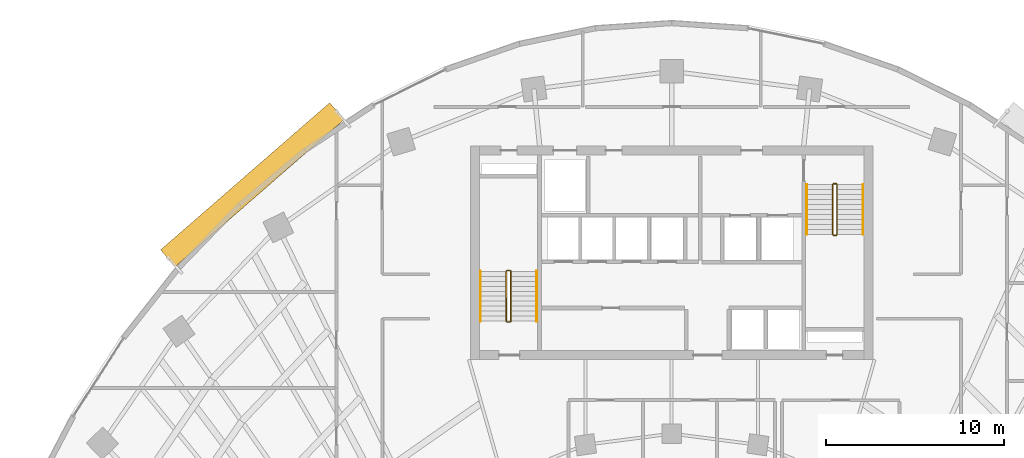
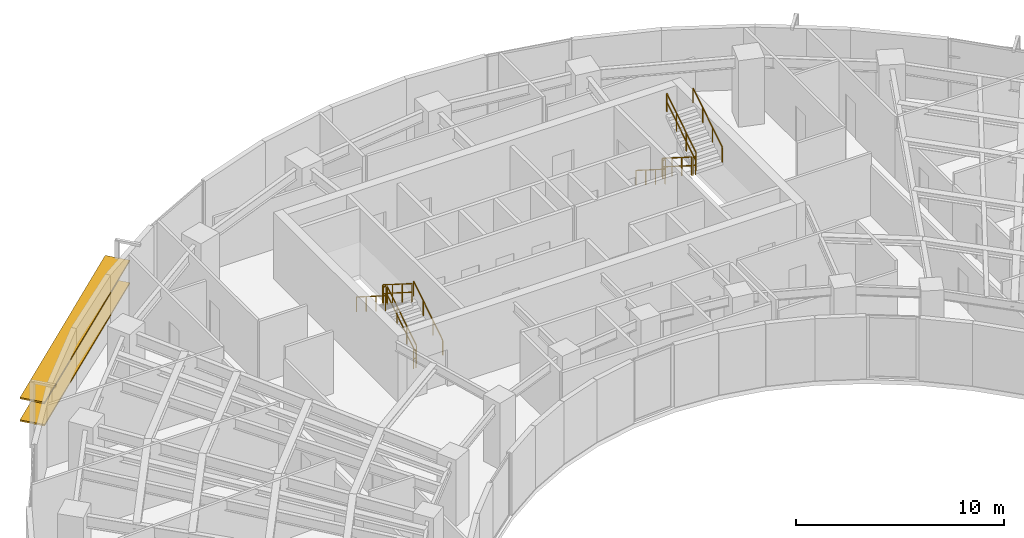
# One storey, part 13 of 14: 12 railings, 2 shading devices.
"""IFC4 building model written with IfcOpenShell, lengths in metres."""

from ifc_helpers import new_model, si_unit, direction, frame, origin, origin_2d, place, context, subcontext, project, spatial, rectangle, extrude, source, transform, mapped, material, material_profile, profile_set, type_object, element, save


model = new_model("IFC4")

# Units and contexts
model_context = context("Model", 3, precision=1e-05, world=origin(), true_north=direction((0.0, 1.0)))
body_context = subcontext(model_context, "Body", "Model", "MODEL_VIEW")
ifc_project = project(units=[si_unit("LENGTHUNIT", "METRE"), si_unit("AREAUNIT", "SQUARE_METRE"), si_unit("VOLUMEUNIT", "CUBIC_METRE"), si_unit("PLANEANGLEUNIT", "RADIAN"), si_unit("MASSUNIT", "GRAM", prefix="KILO")], contexts=[model_context])

# Site, building, storey
site_placement = place(None, origin())
site = spatial("IfcSite", under=ifc_project, at=site_placement, CompositionType="ELEMENT")
building_placement = place(site_placement, origin())
building = spatial("IfcBuilding", under=site, at=building_placement, Name="Breltana Convention Tower", CompositionType="ELEMENT")
storey_placement = place(building_placement, frame((0.0, 0.0, 99.89990234375)))
storey = spatial("IfcBuildingStorey", under=building, at=storey_placement, Name="L23", CompositionType="ELEMENT", Elevation=99.89990234375)

# Railings
ifc_material_1 = material(Name="Steel S275 Painted", Category="steel")
railing_type_1 = type_object("IfcRailingType", Name="RL-STAIR-GUARD-1100", PredefinedType="GUARDRAIL", material=ifc_material_1)
railing_1_placement = place(storey_placement, frame((38.9599609375, 62.360107421875, 0.177490234375)))
element("IfcRailing", 1, at=railing_1_placement, inside=storey, type_object=railing_type_1, Name="L23 ST-1 stair guard 1", PredefinedType="GUARDRAIL", context=body_context, shape_type="SweptSolid", body=[
    extrude(rectangle(XDim=0.048095703125, YDim=0.048095703125, at=origin_2d()), frame((0.0, 0.0, 1.076171875), z_axis=(0.0, 0.844887892834, 0.53494340686), x_axis=(-1.0, 0.0, 0.0)), (0.0, 0.0, 1.0), 3.313720703125),
    extrude(rectangle(XDim=0.048095703125, YDim=0.048095703125, at=origin_2d()), frame((0.0, 0.0, 0.572021484375), z_axis=(0.0, 0.844887892834, 0.53494340686), x_axis=(-1.0, 0.0, 0.0)), (0.0, 0.0, 1.0), 3.313720703125),
    extrude(rectangle(XDim=0.0419921875, YDim=0.0419921875, at=origin_2d()), origin(), (0.0, 0.0, 1.0), 1.052001953125),
    extrude(rectangle(XDim=0.0419921875, YDim=0.0419921875, at=origin_2d()), frame((0.0, 0.933349609375, 0.5908203125)), (0.0, 0.0, 1.0), 1.052001953125),
    extrude(rectangle(XDim=0.0419921875, YDim=0.0419921875, at=origin_2d()), frame((0.0, 1.866455078125, 1.181884765625)), (0.0, 0.0, 1.0), 1.052001953125),
    extrude(rectangle(XDim=0.0419921875, YDim=0.0419921875, at=origin_2d()), frame((0.0, 2.7998046875, 1.772705078125)), (0.0, 0.0, 1.0), 1.052001953125),
])
railing_2_placement = place(storey_placement, frame((38.909912109375, 65.2099609375, 1.9501953125)))
element("IfcRailing", 2, at=railing_2_placement, inside=storey, type_object=railing_type_1, Name="L23 ST-1 stair guard 2", PredefinedType="GUARDRAIL", context=body_context, shape_type="SweptSolid", body=[
    extrude(rectangle(XDim=0.048095703125, YDim=0.048095703125, at=origin_2d()), frame((0.0, 0.0, 1.076171875), z_axis=(-1.0, 0.0, 0.0), x_axis=(0.0, -1.0, 0.0)), (0.0, 0.0, 1.0), 0.14990234375),
    extrude(rectangle(XDim=0.048095703125, YDim=0.048095703125, at=origin_2d()), frame((0.0, 0.0, 0.572021484375), z_axis=(-1.0, 0.0, 0.0), x_axis=(0.0, -1.0, 0.0)), (0.0, 0.0, 1.0), 0.14990234375),
    extrude(rectangle(XDim=0.0419921875, YDim=0.0419921875, at=origin_2d()), origin(), (0.0, 0.0, 1.0), 1.052001953125),
    extrude(rectangle(XDim=0.0419921875, YDim=0.0419921875, at=origin_2d()), frame((-0.14990234375, 0.0, 0.0)), (0.0, 0.0, 1.0), 1.052001953125),
])
railing_3_placement = place(storey_placement, frame((38.7099609375, 65.159912109375, 2.12744140625)))
element("IfcRailing", 3, at=railing_3_placement, inside=storey, type_object=railing_type_1, Name="L23 ST-1 stair guard 3", PredefinedType="GUARDRAIL", context=body_context, shape_type="SweptSolid", body=[
    extrude(rectangle(XDim=0.048095703125, YDim=0.048095703125, at=origin_2d()), frame((0.0, 0.0, 1.076171875), z_axis=(0.0, -0.844887892834, 0.53494340686), x_axis=(1.0, 0.0, 0.0)), (0.0, 0.0, 1.0), 3.313720703125),
    extrude(rectangle(XDim=0.048095703125, YDim=0.048095703125, at=origin_2d()), frame((0.0, 0.0, 0.572021484375), z_axis=(0.0, -0.844887892834, 0.53494340686), x_axis=(1.0, 0.0, 0.0)), (0.0, 0.0, 1.0), 3.313720703125),
    extrude(rectangle(XDim=0.0419921875, YDim=0.0419921875, at=origin_2d()), origin(), (0.0, 0.0, 1.0), 1.052001953125),
    extrude(rectangle(XDim=0.0419921875, YDim=0.0419921875, at=origin_2d()), frame((0.0, -0.933349609375, 0.5908203125)), (0.0, 0.0, 1.0), 1.052001953125),
    extrude(rectangle(XDim=0.0419921875, YDim=0.0419921875, at=origin_2d()), frame((0.0, -1.866455078125, 1.181884765625)), (0.0, 0.0, 1.0), 1.052001953125),
    extrude(rectangle(XDim=0.0419921875, YDim=0.0419921875, at=origin_2d()), frame((0.0, -2.7998046875, 1.772705078125)), (0.0, 0.0, 1.0), 1.052001953125),
])
railing_4_placement = place(storey_placement, frame((38.909912109375, 62.31005859375, 0.0)))
element("IfcRailing", 4, at=railing_4_placement, inside=storey, type_object=railing_type_1, Name="L23 ST-1 stair guard 4", PredefinedType="GUARDRAIL", context=body_context, shape_type="SweptSolid", body=[
    extrude(rectangle(XDim=0.048095703125, YDim=0.048095703125, at=origin_2d()), frame((0.0, 0.0, 1.076171875), z_axis=(-1.0, 0.0, 0.0), x_axis=(0.0, -1.0, 0.0)), (0.0, 0.0, 1.0), 0.14990234375),
    extrude(rectangle(XDim=0.048095703125, YDim=0.048095703125, at=origin_2d()), frame((0.0, 0.0, 0.572021484375), z_axis=(-1.0, 0.0, 0.0), x_axis=(0.0, -1.0, 0.0)), (0.0, 0.0, 1.0), 0.14990234375),
    extrude(rectangle(XDim=0.0419921875, YDim=0.0419921875, at=origin_2d()), origin(), (0.0, 0.0, 1.0), 1.052001953125),
    extrude(rectangle(XDim=0.0419921875, YDim=0.0419921875, at=origin_2d()), frame((-0.14990234375, 0.0, 0.0)), (0.0, 0.0, 1.0), 1.052001953125),
])
railing_5_placement = place(storey_placement, frame((57.0400390625, 70.0400390625, 0.177490234375)))
element("IfcRailing", 5, at=railing_5_placement, inside=storey, type_object=railing_type_1, Name="L23 ST-2 stair guard 1", PredefinedType="GUARDRAIL", context=body_context, shape_type="SweptSolid", body=[
    extrude(rectangle(XDim=0.048095703125, YDim=0.048095703125, at=origin_2d()), frame((0.0, 0.0, 1.076171875), z_axis=(0.0, -0.844908973607, 0.534910110503), x_axis=(1.0, 0.0, 0.0)), (0.0, 0.0, 1.0), 3.31396484375),
    extrude(rectangle(XDim=0.048095703125, YDim=0.048095703125, at=origin_2d()), frame((0.0, 0.0, 0.572021484375), z_axis=(0.0, -0.844908973607, 0.534910110503), x_axis=(1.0, 0.0, 0.0)), (0.0, 0.0, 1.0), 3.31396484375),
    extrude(rectangle(XDim=0.0419921875, YDim=0.0419921875, at=origin_2d()), origin(), (0.0, 0.0, 1.0), 1.052001953125),
    extrude(rectangle(XDim=0.0419921875, YDim=0.0419921875, at=origin_2d()), frame((0.0, -0.933349609375, 0.5908203125)), (0.0, 0.0, 1.0), 1.052001953125),
    extrude(rectangle(XDim=0.0419921875, YDim=0.0419921875, at=origin_2d()), frame((0.0, -1.86669921875, 1.181884765625)), (0.0, 0.0, 1.0), 1.052001953125),
    extrude(rectangle(XDim=0.0419921875, YDim=0.0419921875, at=origin_2d()), frame((0.0, -2.800048828125, 1.772705078125)), (0.0, 0.0, 1.0), 1.052001953125),
])
railing_6_placement = place(storey_placement, frame((57.090087890625, 67.18994140625, 1.9501953125)))
element("IfcRailing", 6, at=railing_6_placement, inside=storey, type_object=railing_type_1, Name="L23 ST-2 stair guard 2", PredefinedType="GUARDRAIL", context=body_context, shape_type="SweptSolid", body=[
    extrude(rectangle(XDim=0.048095703125, YDim=0.048095703125, at=origin_2d()), frame((0.0, 0.0, 1.076171875), z_axis=(1.0, 0.0, 0.0), x_axis=(0.0, 1.0, 0.0)), (0.0, 0.0, 1.0), 0.14990234375),
    extrude(rectangle(XDim=0.048095703125, YDim=0.048095703125, at=origin_2d()), frame((0.0, 0.0, 0.572021484375), z_axis=(1.0, 0.0, 0.0), x_axis=(0.0, 1.0, 0.0)), (0.0, 0.0, 1.0), 0.14990234375),
    extrude(rectangle(XDim=0.0419921875, YDim=0.0419921875, at=origin_2d()), origin(), (0.0, 0.0, 1.0), 1.052001953125),
    extrude(rectangle(XDim=0.0419921875, YDim=0.0419921875, at=origin_2d()), frame((0.14990234375, 0.0, 0.0)), (0.0, 0.0, 1.0), 1.052001953125),
])
railing_7_placement = place(storey_placement, frame((57.2900390625, 67.239990234375, 2.12744140625)))
element("IfcRailing", 7, at=railing_7_placement, inside=storey, type_object=railing_type_1, Name="L23 ST-2 stair guard 3", PredefinedType="GUARDRAIL", context=body_context, shape_type="SweptSolid", body=[
    extrude(rectangle(XDim=0.048095703125, YDim=0.048095703125, at=origin_2d()), frame((0.0, 0.0, 1.076171875), z_axis=(0.0, 0.844908973607, 0.534910110503), x_axis=(-1.0, 0.0, 0.0)), (0.0, 0.0, 1.0), 3.31396484375),
    extrude(rectangle(XDim=0.048095703125, YDim=0.048095703125, at=origin_2d()), frame((0.0, 0.0, 0.572021484375), z_axis=(0.0, 0.844908973607, 0.534910110503), x_axis=(-1.0, 0.0, 0.0)), (0.0, 0.0, 1.0), 3.31396484375),
    extrude(rectangle(XDim=0.0419921875, YDim=0.0419921875, at=origin_2d()), origin(), (0.0, 0.0, 1.0), 1.052001953125),
    extrude(rectangle(XDim=0.0419921875, YDim=0.0419921875, at=origin_2d()), frame((0.0, 0.933349609375, 0.5908203125)), (0.0, 0.0, 1.0), 1.052001953125),
    extrude(rectangle(XDim=0.0419921875, YDim=0.0419921875, at=origin_2d()), frame((0.0, 1.86669921875, 1.181884765625)), (0.0, 0.0, 1.0), 1.052001953125),
    extrude(rectangle(XDim=0.0419921875, YDim=0.0419921875, at=origin_2d()), frame((0.0, 2.800048828125, 1.772705078125)), (0.0, 0.0, 1.0), 1.052001953125),
])
railing_8_placement = place(storey_placement, frame((57.090087890625, 70.090087890625, 0.0)))
element("IfcRailing", 8, at=railing_8_placement, inside=storey, type_object=railing_type_1, Name="L23 ST-2 stair guard 4", PredefinedType="GUARDRAIL", context=body_context, shape_type="SweptSolid", body=[
    extrude(rectangle(XDim=0.048095703125, YDim=0.048095703125, at=origin_2d()), frame((0.0, 0.0, 1.076171875), z_axis=(1.0, 0.0, 0.0), x_axis=(0.0, 1.0, 0.0)), (0.0, 0.0, 1.0), 0.14990234375),
    extrude(rectangle(XDim=0.048095703125, YDim=0.048095703125, at=origin_2d()), frame((0.0, 0.0, 0.572021484375), z_axis=(1.0, 0.0, 0.0), x_axis=(0.0, 1.0, 0.0)), (0.0, 0.0, 1.0), 0.14990234375),
    extrude(rectangle(XDim=0.0419921875, YDim=0.0419921875, at=origin_2d()), origin(), (0.0, 0.0, 1.0), 1.052001953125),
    extrude(rectangle(XDim=0.0419921875, YDim=0.0419921875, at=origin_2d()), frame((0.14990234375, 0.0, 0.0)), (0.0, 0.0, 1.0), 1.052001953125),
])
ifc_material_2 = material(Name="Stainless Steel 316L", Category="steel")
railing_type_2 = type_object("IfcRailingType", Name="RL-STAIR-HANDRAIL-900", PredefinedType="HANDRAIL", material=ifc_material_2)
railing_9_placement = place(storey_placement, frame((40.419921875, 62.360107421875, 0.177490234375)))
element("IfcRailing", 9, at=railing_9_placement, inside=storey, type_object=railing_type_2, Name="L23 ST-1 stair handrail 1", PredefinedType="HANDRAIL", context=body_context, shape_type="SweptSolid", body=[
    extrude(rectangle(XDim=0.048095703125, YDim=0.048095703125, at=origin_2d()), frame((0.0, 0.0, 0.8759765625), z_axis=(0.0, 0.844887892834, 0.53494340686), x_axis=(-1.0, 0.0, 0.0)), (0.0, 0.0, 1.0), 3.313720703125),
    extrude(rectangle(XDim=0.0419921875, YDim=0.0419921875, at=origin_2d()), origin(), (0.0, 0.0, 1.0), 0.851806640625),
    extrude(rectangle(XDim=0.0419921875, YDim=0.0419921875, at=origin_2d()), frame((0.0, 0.933349609375, 0.5908203125)), (0.0, 0.0, 1.0), 0.851806640625),
    extrude(rectangle(XDim=0.0419921875, YDim=0.0419921875, at=origin_2d()), frame((0.0, 1.866455078125, 1.181884765625)), (0.0, 0.0, 1.0), 0.851806640625),
    extrude(rectangle(XDim=0.0419921875, YDim=0.0419921875, at=origin_2d()), frame((0.0, 2.7998046875, 1.772705078125)), (0.0, 0.0, 1.0), 0.851806640625),
])
railing_10_placement = place(storey_placement, frame((37.25, 65.159912109375, 2.12744140625)))
element("IfcRailing", 10, at=railing_10_placement, inside=storey, type_object=railing_type_2, Name="L23 ST-1 stair handrail 2", PredefinedType="HANDRAIL", context=body_context, shape_type="SweptSolid", body=[
    extrude(rectangle(XDim=0.048095703125, YDim=0.048095703125, at=origin_2d()), frame((0.0, 0.0, 0.8759765625), z_axis=(0.0, -0.844887892834, 0.53494340686), x_axis=(1.0, 0.0, 0.0)), (0.0, 0.0, 1.0), 3.313720703125),
    extrude(rectangle(XDim=0.0419921875, YDim=0.0419921875, at=origin_2d()), origin(), (0.0, 0.0, 1.0), 0.851806640625),
    extrude(rectangle(XDim=0.0419921875, YDim=0.0419921875, at=origin_2d()), frame((0.0, -0.933349609375, 0.5908203125)), (0.0, 0.0, 1.0), 0.851806640625),
    extrude(rectangle(XDim=0.0419921875, YDim=0.0419921875, at=origin_2d()), frame((0.0, -1.866455078125, 1.181884765625)), (0.0, 0.0, 1.0), 0.851806640625),
    extrude(rectangle(XDim=0.0419921875, YDim=0.0419921875, at=origin_2d()), frame((0.0, -2.7998046875, 1.772705078125)), (0.0, 0.0, 1.0), 0.851806640625),
])
railing_11_placement = place(storey_placement, frame((55.580078125, 70.0400390625, 0.177490234375)))
element("IfcRailing", 11, at=railing_11_placement, inside=storey, type_object=railing_type_2, Name="L23 ST-2 stair handrail 1", PredefinedType="HANDRAIL", context=body_context, shape_type="SweptSolid", body=[
    extrude(rectangle(XDim=0.048095703125, YDim=0.048095703125, at=origin_2d()), frame((0.0, 0.0, 0.8759765625), z_axis=(0.0, -0.844908973607, 0.534910110503), x_axis=(1.0, 0.0, 0.0)), (0.0, 0.0, 1.0), 3.31396484375),
    extrude(rectangle(XDim=0.0419921875, YDim=0.0419921875, at=origin_2d()), origin(), (0.0, 0.0, 1.0), 0.851806640625),
    extrude(rectangle(XDim=0.0419921875, YDim=0.0419921875, at=origin_2d()), frame((0.0, -0.933349609375, 0.5908203125)), (0.0, 0.0, 1.0), 0.851806640625),
    extrude(rectangle(XDim=0.0419921875, YDim=0.0419921875, at=origin_2d()), frame((0.0, -1.86669921875, 1.181884765625)), (0.0, 0.0, 1.0), 0.851806640625),
    extrude(rectangle(XDim=0.0419921875, YDim=0.0419921875, at=origin_2d()), frame((0.0, -2.800048828125, 1.772705078125)), (0.0, 0.0, 1.0), 0.851806640625),
])
railing_12_placement = place(storey_placement, frame((58.75, 67.239990234375, 2.12744140625)))
element("IfcRailing", 12, at=railing_12_placement, inside=storey, type_object=railing_type_2, Name="L23 ST-2 stair handrail 2", PredefinedType="HANDRAIL", context=body_context, shape_type="SweptSolid", body=[
    extrude(rectangle(XDim=0.048095703125, YDim=0.048095703125, at=origin_2d()), frame((0.0, 0.0, 0.8759765625), z_axis=(0.0, 0.844908973607, 0.534910110503), x_axis=(-1.0, 0.0, 0.0)), (0.0, 0.0, 1.0), 3.31396484375),
    extrude(rectangle(XDim=0.0419921875, YDim=0.0419921875, at=origin_2d()), origin(), (0.0, 0.0, 1.0), 0.851806640625),
    extrude(rectangle(XDim=0.0419921875, YDim=0.0419921875, at=origin_2d()), frame((0.0, 0.933349609375, 0.5908203125)), (0.0, 0.0, 1.0), 0.851806640625),
    extrude(rectangle(XDim=0.0419921875, YDim=0.0419921875, at=origin_2d()), frame((0.0, 1.86669921875, 1.181884765625)), (0.0, 0.0, 1.0), 0.851806640625),
    extrude(rectangle(XDim=0.0419921875, YDim=0.0419921875, at=origin_2d()), frame((0.0, 2.800048828125, 1.772705078125)), (0.0, 0.0, 1.0), 0.851806640625),
])

# Shading devices
ifc_material_3 = material(Name="Limestone Warm Buff Honed", Category="masonry")
ifc_material_profile = material_profile(ifc_material_3, rectangle(XDim=1.25, YDim=0.090087890625, at=origin_2d()), Name="STN-LVR-1250X90")
ifc_profile_set = profile_set([ifc_material_profile], Name="Limestone Warm Buff Honed")
shading_device_type = type_object("IfcShadingDeviceType", Name="SHD-OUTER-SKIN-LIMESTONE-1250", PredefinedType="JALOUSIE", material=ifc_profile_set)
shared_shape = source(origin(), body_context, "Body", "SweptSolid", [
    extrude(rectangle(XDim=1.25, YDim=0.090087890625, at=origin_2d()), origin(), (0.0, 0.0, 1.0), 12.59423828125),
])
for number, where, z_axis, x_axis, name in (
    (13, (19.6826171875, 65.894775390625, 1.314208984375), (0.754366759368, 0.656453191295, 0.0), (-0.656453191295, 0.754366759368, 0.0), "L23 outer skin warm limestone louvre 1.1"),
    (14, (19.6826171875, 65.894775390625, 2.628173828125), (0.754366759368, 0.656453191295, 0.0), (-0.656453191295, 0.754366759368, 0.0), "L23 outer skin warm limestone louvre 1.2"),
):
    element("IfcShadingDevice", number, at=place(storey_placement, frame(where, z_axis=z_axis, x_axis=x_axis)), inside=storey, type_object=shading_device_type, Name=name, PredefinedType="JALOUSIE", context=body_context, shape_type="MappedRepresentation", body=[
        mapped(shared_shape, transform((0.0, 0.0, 0.0), scale=1.0)),
    ])

save(model, "model.ifc")
